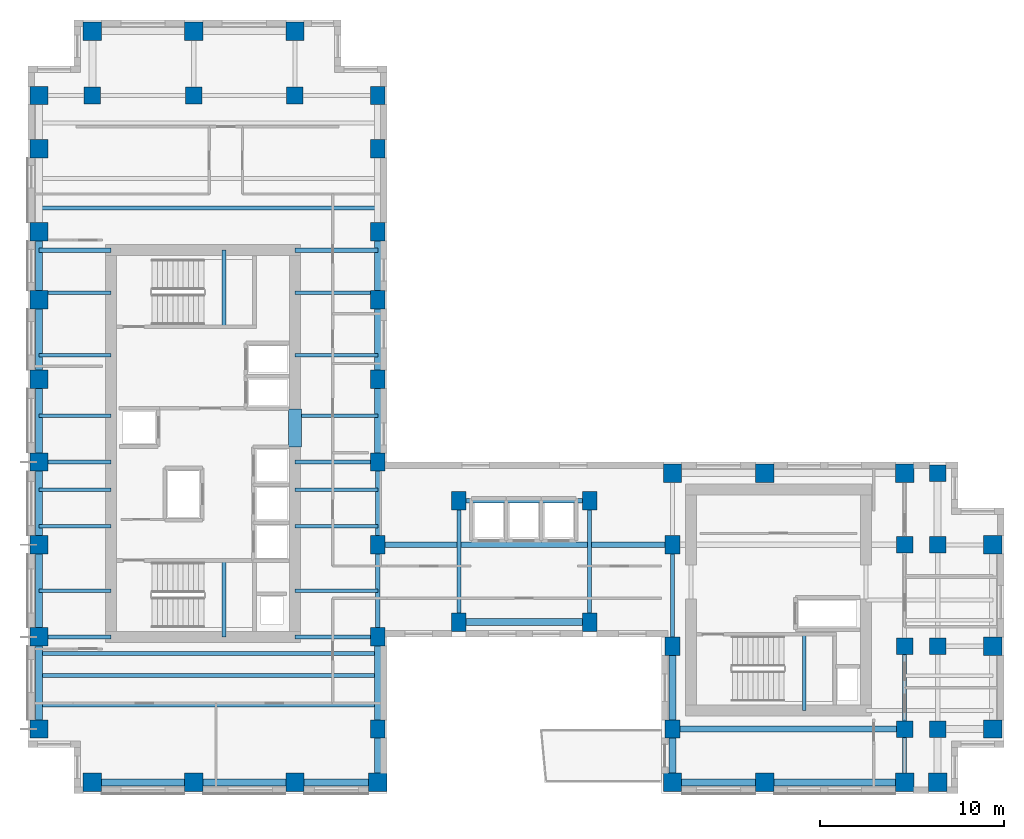
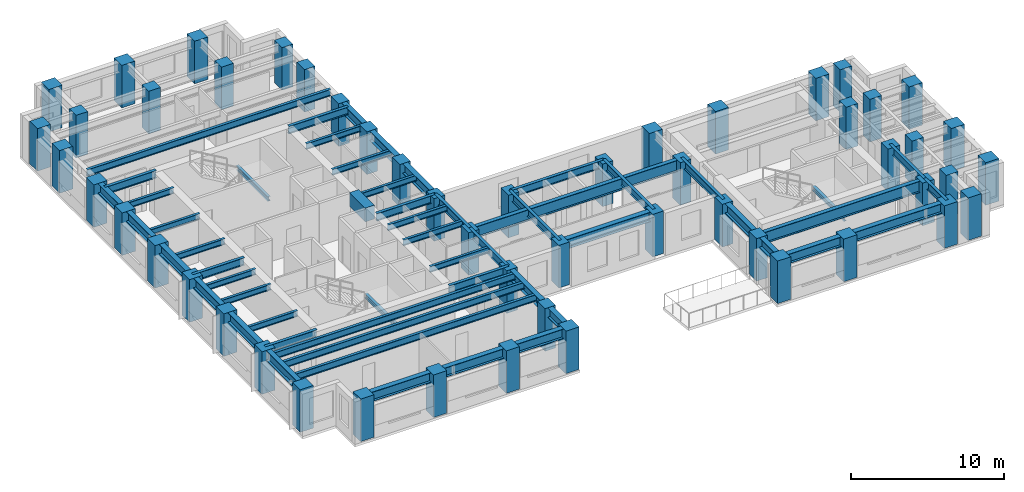
# One storey, part 1 of 12: 55 beams, 52 columns.
"""IFC4 building model written with IfcOpenShell, lengths in metres."""

from ifc_helpers import new_model, si_unit, direction, frame, origin, origin_2d, place, context, subcontext, project, spatial, rectangle, i_section, extrude, source, transform, mapped, material, material_profile, profile_set, type_object, element, save


model = new_model("IFC4")

# Units and contexts
model_context = context("Model", 3, precision=1e-05, world=origin(), true_north=direction((0.0, 1.0)))
body_context = subcontext(model_context, "Body", "Model", "MODEL_VIEW")
ifc_project = project(units=[si_unit("LENGTHUNIT", "METRE"), si_unit("AREAUNIT", "SQUARE_METRE"), si_unit("VOLUMEUNIT", "CUBIC_METRE"), si_unit("PLANEANGLEUNIT", "RADIAN"), si_unit("MASSUNIT", "GRAM", prefix="KILO")], contexts=[model_context])

# Site, building, storey
site_placement = place(None, origin())
site = spatial("IfcSite", under=ifc_project, at=site_placement, CompositionType="ELEMENT")
building_placement = place(site_placement, origin())
building = spatial("IfcBuilding", under=site, at=building_placement, Name="Kharzan Plaza Tower", CompositionType="ELEMENT")
storey_placement = place(building_placement, frame((0.0, 0.0, 179.10009765625)))
storey = spatial("IfcBuildingStorey", under=building, at=storey_placement, Name="L48", CompositionType="ELEMENT", Elevation=179.10009765625)

# Columns
ifc_material_1 = material(Name="Concrete C50/60", Category="concrete")
ifc_material_profile_1 = material_profile(ifc_material_1, rectangle(XDim=0.89990234375, YDim=0.89990234375, at=origin_2d()), Name="RC-IC900x900")
ifc_profile_set_1 = profile_set([ifc_material_profile_1], Name="Concrete C50/60")
column_type_1 = type_object("IfcColumnType", Name="COL-IC900", PredefinedType="COLUMN", material=ifc_profile_set_1)
shared_shape_1 = source(origin(), body_context, "Body", "SweptSolid", [
    extrude(rectangle(XDim=0.89990234375, YDim=0.89990234375, at=origin_2d()), origin(), (0.0, 0.0, 1.0), 3.39990234375),
])
for number, where, z_axis, x_axis, name in (
    (1, (47.60009765625, 13.5, 0.0), (0.0, 0.0, 1.0), (1.0, 0.0, 0.0), "L48 Structural Column TCBI-135"),
    (2, (47.60009765625, 3.5, 0.0), (0.0, 0.0, 1.0), (1.0, 0.0, 0.0), "L48 Structural Column TCBI-35"),
    (3, (47.60009765625, 8.0, 0.0), (0.0, 0.0, 1.0), (1.0, 0.0, 0.0), "L48 Structural Column TCBI-80"),
    (4, (49.39990234375, 13.5, 0.0), (0.0, 0.0, 1.0), (1.0, 0.0, 0.0), "L48 Structural Column TCE-494-135"),
    (5, (49.39990234375, 17.39990234375, 0.0), (0.0, 0.0, 1.0), (1.0, 0.0, 0.0), "L48 Structural Column TCE-494-174"),
    (6, (49.39990234375, 3.5, 0.0), (0.0, 0.0, 1.0), (1.0, 0.0, 0.0), "L48 Structural Column TCE-494-35"),
    (7, (49.39990234375, 8.0, 0.0), (0.0, 0.0, 1.0), (1.0, 0.0, 0.0), "L48 Structural Column TCE-494-80"),
    (8, (14.5, 37.89990234375, 0.0), (0.0, 0.0, 1.0), (1.0, 0.0, 0.0), "L48 Structural Column TCN-145-379"),
    (9, (3.5, 37.89990234375, 0.0), (0.0, 0.0, 1.0), (1.0, 0.0, 0.0), "L48 Structural Column TCN-35-379"),
    (10, (9.0, 37.89990234375, 0.0), (0.0, 0.0, 1.0), (1.0, 0.0, 0.0), "L48 Structural Column TCN-90-379"),
):
    element("IfcColumn", number, at=place(storey_placement, frame(where, z_axis=z_axis, x_axis=x_axis)), inside=storey, type_object=column_type_1, Name=name, PredefinedType="COLUMN", context=body_context, shape_type="MappedRepresentation", body=[
        mapped(shared_shape_1, transform((0.0, 0.0, 0.0), x_axis=(1.0, 0.0, 0.0), y_axis=(0.0, 1.0, 0.0), z_axis=(0.0, 0.0, 1.0))),
    ])
ifc_material_profile_2 = material_profile(ifc_material_1, rectangle(XDim=0.800048828125, YDim=1.0, at=origin_2d()), Name="RC-SC1000x800")
ifc_profile_set_2 = profile_set([ifc_material_profile_2], Name="Concrete C50/60")
column_type_2 = type_object("IfcColumnType", Name="COL-SC1000", PredefinedType="COLUMN", material=ifc_profile_set_2)
shared_shape_2 = source(origin(), body_context, "Body", "SweptSolid", [
    extrude(rectangle(XDim=0.800048828125, YDim=1.0, at=origin_2d()), origin(), (0.0, 0.0, 1.0), 3.39990234375),
])
for number, where, z_axis, x_axis, name in (
    (11, (19.0, 13.5, 0.0), (0.0, 0.0, 1.0), (1.0, 0.0, 0.0), "L48 Structural Column TCA-135"),
    (12, (19.0, 18.0, 0.0), (0.0, 0.0, 1.0), (1.0, 0.0, 0.0), "L48 Structural Column TCA-180"),
    (13, (19.0, 22.5, 0.0), (0.0, 0.0, 1.0), (1.0, 0.0, 0.0), "L48 Structural Column TCA-225"),
    (14, (19.0, 26.800048828125, 0.0), (0.0, 0.0, 1.0), (1.0, 0.0, 0.0), "L48 Structural Column TCA-268"),
    (15, (19.0, 30.5, 0.0), (0.0, 0.0, 1.0), (1.0, 0.0, 0.0), "L48 Structural Column TCA-305"),
    (16, (19.0, 3.5, 0.0), (0.0, 0.0, 1.0), (1.0, 0.0, 0.0), "L48 Structural Column TCA-35"),
    (17, (19.0, 35.0, 0.0), (0.0, 0.0, 1.0), (1.0, 0.0, 0.0), "L48 Structural Column TCA-350"),
    (18, (19.0, 37.89990234375, 0.0), (0.0, 0.0, 1.0), (1.0, 0.0, 0.0), "L48 Structural Column TCA-379"),
    (19, (19.0, 8.5, 0.0), (0.0, 0.0, 1.0), (1.0, 0.0, 0.0), "L48 Structural Column TCA-85"),
    (20, (35.0, 13.5, 0.0), (0.0, 0.0, 1.0), (1.0, 0.0, 0.0), "L48 Structural Column TCBS-135"),
    (21, (35.0, 3.5, 0.0), (0.0, 0.0, 1.0), (1.0, 0.0, 0.0), "L48 Structural Column TCBS-35"),
    (22, (35.0, 8.0, 0.0), (0.0, 0.0, 1.0), (1.0, 0.0, 0.0), "L48 Structural Column TCBS-80"),
    (23, (23.39990234375, 15.89990234375, 0.0), (0.0, 0.0, 1.0), (1.0, 0.0, 0.0), "L48 Structural Column TCSP-234-159"),
    (24, (23.39990234375, 9.300048828125, 0.0), (0.0, 0.0, 1.0), (1.0, 0.0, 0.0), "L48 Structural Column TCSP-234-93"),
    (25, (30.5, 15.89990234375, 0.0), (0.0, 0.0, 1.0), (1.0, 0.0, 0.0), "L48 Structural Column TCSP-305-159"),
    (26, (30.5, 9.300048828125, 0.0), (0.0, 0.0, 1.0), (1.0, 0.0, 0.0), "L48 Structural Column TCSP-305-93"),
):
    element("IfcColumn", number, at=place(storey_placement, frame(where, z_axis=z_axis, x_axis=x_axis)), inside=storey, type_object=column_type_2, Name=name, PredefinedType="COLUMN", context=body_context, shape_type="MappedRepresentation", body=[
        mapped(shared_shape_2, transform((0.0, 0.0, 0.0), x_axis=(1.0, 0.0, 0.0), y_axis=(0.0, 1.0, 0.0), z_axis=(0.0, 0.0, 1.0))),
    ])
ifc_material_profile_3 = material_profile(ifc_material_1, rectangle(XDim=1.0, YDim=1.0, at=origin_2d()), Name="RC-TC1000x1000")
ifc_profile_set_3 = profile_set([ifc_material_profile_3], Name="Concrete C50/60")
column_type_3 = type_object("IfcColumnType", Name="COL-TC1000", PredefinedType="COLUMN", material=ifc_profile_set_3)
shared_shape_3 = source(origin(), body_context, "Body", "SweptSolid", [
    extrude(rectangle(XDim=1.0, YDim=1.0, at=origin_2d()), origin(), (0.0, 0.0, 1.0), 3.39990234375),
])
for number, where, z_axis, x_axis, name in (
    (27, (35.0, 17.39990234375, 0.0), (0.0, 0.0, 1.0), (1.0, 0.0, 0.0), "L48 Structural Column TCBN-350-174"),
    (28, (40.0, 17.39990234375, 0.0), (0.0, 0.0, 1.0), (1.0, 0.0, 0.0), "L48 Structural Column TCBN-400-174"),
    (29, (47.60009765625, 17.39990234375, 0.0), (0.0, 0.0, 1.0), (1.0, 0.0, 0.0), "L48 Structural Column TCBN-476-174"),
    (30, (52.39990234375, 13.5, 0.0), (0.0, 0.0, 1.0), (1.0, 0.0, 0.0), "L48 Structural Column TCE-524-135"),
    (31, (52.39990234375, 3.5, 0.0), (0.0, 0.0, 1.0), (1.0, 0.0, 0.0), "L48 Structural Column TCE-524-35"),
    (32, (52.39990234375, 8.0, 0.0), (0.0, 0.0, 1.0), (1.0, 0.0, 0.0), "L48 Structural Column TCE-524-80"),
    (33, (14.5, 41.39990234375, 0.0), (0.0, 0.0, 1.0), (1.0, 0.0, 0.0), "L48 Structural Column TCN-145-414"),
    (34, (3.5, 41.39990234375, 0.0), (0.0, 0.0, 1.0), (1.0, 0.0, 0.0), "L48 Structural Column TCN-35-414"),
    (35, (9.0, 41.39990234375, 0.0), (0.0, 0.0, 1.0), (1.0, 0.0, 0.0), "L48 Structural Column TCN-90-414"),
    (36, (14.5, 0.60009765625, 0.0), (0.0, 0.0, 1.0), (1.0, 0.0, 0.0), "L48 Structural Column TCS-145"),
    (37, (19.0, 0.60009765625, 0.0), (0.0, 0.0, 1.0), (1.0, 0.0, 0.0), "L48 Structural Column TCS-190"),
    (38, (3.5, 0.60009765625, 0.0), (0.0, 0.0, 1.0), (1.0, 0.0, 0.0), "L48 Structural Column TCS-35"),
    (39, (35.0, 0.60009765625, 0.0), (0.0, 0.0, 1.0), (1.0, 0.0, 0.0), "L48 Structural Column TCS-350"),
    (40, (40.0, 0.60009765625, 0.0), (0.0, 0.0, 1.0), (1.0, 0.0, 0.0), "L48 Structural Column TCS-400"),
    (41, (47.60009765625, 0.60009765625, 0.0), (0.0, 0.0, 1.0), (1.0, 0.0, 0.0), "L48 Structural Column TCS-476"),
    (42, (49.39990234375, 0.60009765625, 0.0), (0.0, 0.0, 1.0), (1.0, 0.0, 0.0), "L48 Structural Column TCS-494"),
    (43, (9.0, 0.60009765625, 0.0), (0.0, 0.0, 1.0), (1.0, 0.0, 0.0), "L48 Structural Column TCS-90"),
    (44, (0.60009765625, 13.5, 0.0), (0.0, 0.0, 1.0), (1.0, 0.0, 0.0), "L48 Structural Column TCW-135"),
    (45, (0.60009765625, 18.0, 0.0), (0.0, 0.0, 1.0), (1.0, 0.0, 0.0), "L48 Structural Column TCW-180"),
    (46, (0.60009765625, 22.5, 0.0), (0.0, 0.0, 1.0), (1.0, 0.0, 0.0), "L48 Structural Column TCW-225"),
    (47, (0.60009765625, 26.800048828125, 0.0), (0.0, 0.0, 1.0), (1.0, 0.0, 0.0), "L48 Structural Column TCW-268"),
    (48, (0.60009765625, 30.5, 0.0), (0.0, 0.0, 1.0), (1.0, 0.0, 0.0), "L48 Structural Column TCW-305"),
    (49, (0.60009765625, 3.5, 0.0), (0.0, 0.0, 1.0), (1.0, 0.0, 0.0), "L48 Structural Column TCW-35"),
    (50, (0.60009765625, 35.0, 0.0), (0.0, 0.0, 1.0), (1.0, 0.0, 0.0), "L48 Structural Column TCW-350"),
    (51, (0.60009765625, 37.89990234375, 0.0), (0.0, 0.0, 1.0), (1.0, 0.0, 0.0), "L48 Structural Column TCW-379"),
    (52, (0.60009765625, 8.5, 0.0), (0.0, 0.0, 1.0), (1.0, 0.0, 0.0), "L48 Structural Column TCW-85"),
):
    element("IfcColumn", number, at=place(storey_placement, frame(where, z_axis=z_axis, x_axis=x_axis)), inside=storey, type_object=column_type_3, Name=name, PredefinedType="COLUMN", context=body_context, shape_type="MappedRepresentation", body=[
        mapped(shared_shape_3, transform((0.0, 0.0, 0.0), x_axis=(1.0, 0.0, 0.0), y_axis=(0.0, 1.0, 0.0), z_axis=(0.0, 0.0, 1.0))),
    ])

# Beams
ifc_material_2 = material(Name="Concrete C60/75", Category="concrete")
ifc_material_profile_4 = material_profile(ifc_material_2, rectangle(XDim=0.699951171875, YDim=1.10009765625, at=origin_2d()), Name="RC-CB1100x700")
ifc_profile_set_4 = profile_set([ifc_material_profile_4], Name="Concrete C60/75")
beam_type_1 = type_object("IfcBeamType", Name="BM-RCCB1100", PredefinedType="LINTEL", material=ifc_profile_set_4)
shared_shape_4 = source(origin(), body_context, "Body", "SweptSolid", [
    extrude(rectangle(XDim=0.699951171875, YDim=1.10009765625, at=origin_2d()), origin(), (0.0, 0.0, 1.0), 2.059814453125),
])
beam_1_placement = place(storey_placement, frame((14.5, 18.820068359375, 2.849853515625), z_axis=(0.0, 1.0, 0.0), x_axis=(-1.0, 0.0, 0.0)))
element("IfcBeam", 53, at=beam_1_placement, inside=storey, type_object=beam_type_1, Name="L48 CORE-A RC coupling beam CB1", PredefinedType="LINTEL", context=body_context, shape_type="MappedRepresentation", body=[
    mapped(shared_shape_4, transform((0.0, 0.0, 0.0), x_axis=(1.0, 0.0, 0.0), y_axis=(0.0, 1.0, 0.0), z_axis=(0.0, 0.0, 1.0))),
])
ifc_material_3 = material(Name="Steel S355", Category="steel")
ifc_material_profile_5 = material_profile(ifc_material_3, i_section(OverallWidth=0.205078125, OverallDepth=0.35400390625, WebThickness=0.009521484375, FlangeThickness=0.016845703125, at=origin_2d()), Name="W360x79")
ifc_profile_set_5 = profile_set([ifc_material_profile_5], Name="Steel S355")
beam_type_2 = type_object("IfcBeamType", Name="BM-LNT360", PredefinedType="LINTEL", material=ifc_profile_set_5)
shared_shape_5 = source(origin(), body_context, "Body", "SweptSolid", [
    extrude(i_section(OverallWidth=0.205078125, OverallDepth=0.35400390625, WebThickness=0.009521484375, FlangeThickness=0.016845703125, at=origin_2d()), origin(), (0.0, 0.0, 1.0), 4.155029296875),
])
for number, where, z_axis, x_axis, name in (
    (54, (10.64990234375, 8.5, 1.4228515625), (0.0, 1.0, 0.0), (-1.0, 0.0, 0.0), "L48 Stair ST-1 Half-Landing Beam"),
    (55, (10.64990234375, 25.344970703125, 1.4228515625), (0.0, 1.0, 0.0), (-1.0, 0.0, 0.0), "L48 Stair ST-2 Half-Landing Beam"),
    (56, (42.14990234375, 4.5, 1.4228515625), (0.0, 1.0, 0.0), (-1.0, 0.0, 0.0), "L48 Stair ST-3 Half-Landing Beam"),
):
    element("IfcBeam", number, at=place(storey_placement, frame(where, z_axis=z_axis, x_axis=x_axis)), inside=storey, type_object=beam_type_2, Name=name, PredefinedType="LINTEL", context=body_context, shape_type="MappedRepresentation", body=[
        mapped(shared_shape_5, transform((0.0, 0.0, 0.0), x_axis=(1.0, 0.0, 0.0), y_axis=(0.0, 1.0, 0.0), z_axis=(0.0, 0.0, 1.0))),
    ])
ifc_material_profile_6 = material_profile(ifc_material_3, i_section(OverallWidth=0.304931640625, OverallDepth=0.9189453125, WebThickness=0.017333984375, FlangeThickness=0.02783203125, at=origin_2d()), Name="W920x253")
ifc_profile_set_6 = profile_set([ifc_material_profile_6], Name="Steel S355")
beam_type_3 = type_object("IfcBeamType", Name="BM-FG920B", PredefinedType="BEAM", material=ifc_profile_set_6)
shared_shape_6 = source(origin(), body_context, "Body", "SweptSolid", [
    extrude(i_section(OverallWidth=0.304931640625, OverallDepth=0.9189453125, WebThickness=0.017333984375, FlangeThickness=0.02783203125, at=origin_2d()), origin(), (0.0, 0.0, 1.0), 12.60009765625),
])
beam_2_placement = place(storey_placement, frame((35.0, 3.5, 2.9404296875), z_axis=(1.0, 0.0, 0.0), x_axis=(0.0, 1.0, 0.0)))
element("IfcBeam", 57, at=beam_2_placement, inside=storey, type_object=beam_type_3, Name="L48 Primary Floor Girder", PredefinedType="BEAM", context=body_context, shape_type="MappedRepresentation", body=[
    mapped(shared_shape_6, transform((0.0, 0.0, 0.0), x_axis=(1.0, 0.0, 0.0), y_axis=(0.0, 1.0, 0.0), z_axis=(0.0, 0.0, 1.0))),
])
shared_shape_7 = source(origin(), body_context, "Body", "SweptSolid", [
    extrude(i_section(OverallWidth=0.304931640625, OverallDepth=0.9189453125, WebThickness=0.017333984375, FlangeThickness=0.02783203125, at=origin_2d()), origin(), (0.0, 0.0, 1.0), 16.0),
])
beam_3_placement = place(storey_placement, frame((19.0, 13.5, 2.9404296875), z_axis=(1.0, 0.0, 0.0), x_axis=(0.0, 1.0, 0.0)))
element("IfcBeam", 58, at=beam_3_placement, inside=storey, type_object=beam_type_3, Name="L48 Primary Floor Girder", PredefinedType="BEAM", context=body_context, shape_type="MappedRepresentation", body=[
    mapped(shared_shape_7, transform((0.0, 0.0, 0.0), x_axis=(1.0, 0.0, 0.0), y_axis=(0.0, 1.0, 0.0), z_axis=(0.0, 0.0, 1.0))),
])
ifc_material_profile_7 = material_profile(ifc_material_3, i_section(OverallWidth=0.2099609375, OverallDepth=0.537109375, WebThickness=0.010986328125, FlangeThickness=0.017333984375, at=origin_2d()), Name="W530x101")
ifc_profile_set_7 = profile_set([ifc_material_profile_7], Name="Steel S355")
beam_type_4 = type_object("IfcBeamType", Name="BM-JST530B", PredefinedType="JOIST", material=ifc_profile_set_7)
shared_shape_8 = source(origin(), body_context, "Body", "SweptSolid", [
    extrude(i_section(OverallWidth=0.2099609375, OverallDepth=0.537109375, WebThickness=0.010986328125, FlangeThickness=0.017333984375, at=origin_2d()), origin(), (0.0, 0.0, 1.0), 18.39990234375),
])
for number, where, z_axis, x_axis, name in (
    (59, (0.60009765625, 4.800048828125, 3.13134765625), (1.0, 0.0, 0.0), (0.0, 1.0, 0.0), "L48 Wing A Composite Joist 01"),
    (60, (0.60009765625, 6.39990234375, 3.13134765625), (1.0, 0.0, 0.0), (0.0, 1.0, 0.0), "L48 Wing A Composite Joist 02"),
    (61, (0.60009765625, 7.60009765625, 3.13134765625), (1.0, 0.0, 0.0), (0.0, 1.0, 0.0), "L48 Wing A Composite Joist 03"),
    (62, (0.60009765625, 31.800048828125, 3.13134765625), (1.0, 0.0, 0.0), (0.0, 1.0, 0.0), "L48 Wing A Composite Joist 04"),
):
    element("IfcBeam", number, at=place(storey_placement, frame(where, z_axis=z_axis, x_axis=x_axis)), inside=storey, type_object=beam_type_4, Name=name, PredefinedType="JOIST", context=body_context, shape_type="MappedRepresentation", body=[
        mapped(shared_shape_8, transform((0.0, 0.0, 0.0), x_axis=(1.0, 0.0, 0.0), y_axis=(0.0, 1.0, 0.0), z_axis=(0.0, 0.0, 1.0))),
    ])
ifc_material_profile_8 = material_profile(ifc_material_3, i_section(OverallWidth=0.194091796875, OverallDepth=0.468994140625, WebThickness=0.011474609375, FlangeThickness=0.0205078125, at=origin_2d()), Name="W460x106")
ifc_profile_set_8 = profile_set([ifc_material_profile_8], Name="Steel S355")
beam_type_5 = type_object("IfcBeamType", Name="BM-JST460", PredefinedType="JOIST", material=ifc_profile_set_8)
shared_shape_9 = source(origin(), body_context, "Body", "SweptSolid", [
    extrude(i_section(OverallWidth=0.194091796875, OverallDepth=0.468994140625, WebThickness=0.011474609375, FlangeThickness=0.0205078125, at=origin_2d()), origin(), (0.0, 0.0, 1.0), 4.5),
])
for number, where, z_axis, x_axis, name in (
    (63, (14.5, 11.0, 3.165283203125), (1.0, 0.0, 0.0), (0.0, 1.0, 0.0), "L48 Wing A East Infill Joist 1"),
    (64, (14.5, 14.5, 3.165283203125), (1.0, 0.0, 0.0), (0.0, 1.0, 0.0), "L48 Wing A East Infill Joist 2"),
    (65, (14.5, 16.5, 3.165283203125), (1.0, 0.0, 0.0), (0.0, 1.0, 0.0), "L48 Wing A East Infill Joist 3"),
    (66, (14.5, 20.5, 3.165283203125), (1.0, 0.0, 0.0), (0.0, 1.0, 0.0), "L48 Wing A East Infill Joist 4"),
    (67, (14.5, 23.800048828125, 3.165283203125), (1.0, 0.0, 0.0), (0.0, 1.0, 0.0), "L48 Wing A East Infill Joist 5"),
    (68, (14.5, 27.199951171875, 3.165283203125), (1.0, 0.0, 0.0), (0.0, 1.0, 0.0), "L48 Wing A East Infill Joist 6"),
):
    element("IfcBeam", number, at=place(storey_placement, frame(where, z_axis=z_axis, x_axis=x_axis)), inside=storey, type_object=beam_type_5, Name=name, PredefinedType="JOIST", context=body_context, shape_type="MappedRepresentation", body=[
        mapped(shared_shape_9, transform((0.0, 0.0, 0.0), x_axis=(1.0, 0.0, 0.0), y_axis=(0.0, 1.0, 0.0), z_axis=(0.0, 0.0, 1.0))),
    ])
shared_shape_10 = source(origin(), body_context, "Body", "SweptSolid", [
    extrude(i_section(OverallWidth=0.194091796875, OverallDepth=0.468994140625, WebThickness=0.011474609375, FlangeThickness=0.0205078125, at=origin_2d()), origin(), (0.0, 0.0, 1.0), 3.89990234375),
])
for number, where, z_axis, x_axis, name in (
    (69, (0.60009765625, 11.0, 3.165283203125), (1.0, 0.0, 0.0), (0.0, 1.0, 0.0), "L48 Wing A West Infill Joist 1"),
    (70, (0.60009765625, 14.5, 3.165283203125), (1.0, 0.0, 0.0), (0.0, 1.0, 0.0), "L48 Wing A West Infill Joist 2"),
    (71, (0.60009765625, 16.5, 3.165283203125), (1.0, 0.0, 0.0), (0.0, 1.0, 0.0), "L48 Wing A West Infill Joist 3"),
    (72, (0.60009765625, 20.5, 3.165283203125), (1.0, 0.0, 0.0), (0.0, 1.0, 0.0), "L48 Wing A West Infill Joist 4"),
    (73, (0.60009765625, 23.800048828125, 3.165283203125), (1.0, 0.0, 0.0), (0.0, 1.0, 0.0), "L48 Wing A West Infill Joist 5"),
    (74, (0.60009765625, 27.199951171875, 3.165283203125), (1.0, 0.0, 0.0), (0.0, 1.0, 0.0), "L48 Wing A West Infill Joist 6"),
):
    element("IfcBeam", number, at=place(storey_placement, frame(where, z_axis=z_axis, x_axis=x_axis)), inside=storey, type_object=beam_type_5, Name=name, PredefinedType="JOIST", context=body_context, shape_type="MappedRepresentation", body=[
        mapped(shared_shape_10, transform((0.0, 0.0, 0.0), x_axis=(1.0, 0.0, 0.0), y_axis=(0.0, 1.0, 0.0), z_axis=(0.0, 0.0, 1.0))),
    ])
ifc_material_profile_9 = material_profile(ifc_material_3, i_section(OverallWidth=0.22900390625, OverallDepth=0.612060546875, WebThickness=0.011962890625, FlangeThickness=0.01953125, at=origin_2d()), Name="W610x125")
ifc_profile_set_9 = profile_set([ifc_material_profile_9], Name="Steel S355")
beam_type_6 = type_object("IfcBeamType", Name="BM-FG610B", PredefinedType="BEAM", material=ifc_profile_set_9)
shared_shape_11 = source(origin(), body_context, "Body", "SweptSolid", [
    extrude(i_section(OverallWidth=0.22900390625, OverallDepth=0.612060546875, WebThickness=0.011962890625, FlangeThickness=0.01953125, at=origin_2d()), origin(), (0.0, 0.0, 1.0), 4.5),
])
for number, where, z_axis, x_axis, name in (
    (75, (14.5, 8.5, 3.093994140625), (1.0, 0.0, 0.0), (0.0, 1.0, 0.0), "L48 Core-A East Floor Girder 1"),
    (76, (14.5, 18.0, 3.093994140625), (1.0, 0.0, 0.0), (0.0, 1.0, 0.0), "L48 Core-A East Floor Girder 2"),
    (77, (14.5, 29.5, 3.093994140625), (1.0, 0.0, 0.0), (0.0, 1.0, 0.0), "L48 Core-A East Floor Girder 3"),
    (78, (19.0, 13.5, 3.093994140625), (0.0, 1.0, 0.0), (-1.0, 0.0, 0.0), "L48 Interior Frame Girder"),
    (79, (47.60009765625, 3.5, 3.093994140625), (0.0, 1.0, 0.0), (-1.0, 0.0, 0.0), "L48 Interior Frame Girder"),
):
    element("IfcBeam", number, at=place(storey_placement, frame(where, z_axis=z_axis, x_axis=x_axis)), inside=storey, type_object=beam_type_6, Name=name, PredefinedType="BEAM", context=body_context, shape_type="MappedRepresentation", body=[
        mapped(shared_shape_11, transform((0.0, 0.0, 0.0), x_axis=(1.0, 0.0, 0.0), y_axis=(0.0, 1.0, 0.0), z_axis=(0.0, 0.0, 1.0))),
    ])
shared_shape_12 = source(origin(), body_context, "Body", "SweptSolid", [
    extrude(i_section(OverallWidth=0.22900390625, OverallDepth=0.612060546875, WebThickness=0.011962890625, FlangeThickness=0.01953125, at=origin_2d()), origin(), (0.0, 0.0, 1.0), 3.89990234375),
])
for number, where, z_axis, x_axis, name in (
    (80, (0.60009765625, 8.5, 3.093994140625), (1.0, 0.0, 0.0), (0.0, 1.0, 0.0), "L48 Core-A West Floor Girder 1"),
    (81, (0.60009765625, 18.0, 3.093994140625), (1.0, 0.0, 0.0), (0.0, 1.0, 0.0), "L48 Core-A West Floor Girder 2"),
    (82, (0.60009765625, 29.5, 3.093994140625), (1.0, 0.0, 0.0), (0.0, 1.0, 0.0), "L48 Core-A West Floor Girder 3"),
):
    element("IfcBeam", number, at=place(storey_placement, frame(where, z_axis=z_axis, x_axis=x_axis)), inside=storey, type_object=beam_type_6, Name=name, PredefinedType="BEAM", context=body_context, shape_type="MappedRepresentation", body=[
        mapped(shared_shape_12, transform((0.0, 0.0, 0.0), x_axis=(1.0, 0.0, 0.0), y_axis=(0.0, 1.0, 0.0), z_axis=(0.0, 0.0, 1.0))),
    ])
shared_shape_13 = source(origin(), body_context, "Body", "SweptSolid", [
    extrude(i_section(OverallWidth=0.22900390625, OverallDepth=0.612060546875, WebThickness=0.011962890625, FlangeThickness=0.01953125, at=origin_2d()), origin(), (0.0, 0.0, 1.0), 5.0),
])
beam_4_placement = place(storey_placement, frame((19.0, 8.5, 3.093994140625), z_axis=(0.0, 1.0, 0.0), x_axis=(-1.0, 0.0, 0.0)))
element("IfcBeam", 83, at=beam_4_placement, inside=storey, type_object=beam_type_6, Name="L48 Interior Frame Girder", PredefinedType="BEAM", context=body_context, shape_type="MappedRepresentation", body=[
    mapped(shared_shape_13, transform((0.0, 0.0, 0.0), x_axis=(1.0, 0.0, 0.0), y_axis=(0.0, 1.0, 0.0), z_axis=(0.0, 0.0, 1.0))),
])
shared_shape_14 = source(origin(), body_context, "Body", "SweptSolid", [
    extrude(i_section(OverallWidth=0.22900390625, OverallDepth=0.612060546875, WebThickness=0.011962890625, FlangeThickness=0.01953125, at=origin_2d()), origin(), (0.0, 0.0, 1.0), 6.599853515625),
])
for number, where, z_axis, x_axis, name in (
    (84, (23.39990234375, 9.300048828125, 3.093994140625), (0.0, 1.0, 0.0), (-1.0, 0.0, 0.0), "L48 Interior Frame Girder"),
    (85, (30.5, 9.300048828125, 3.093994140625), (0.0, 1.0, 0.0), (-1.0, 0.0, 0.0), "L48 Interior Frame Girder"),
):
    element("IfcBeam", number, at=place(storey_placement, frame(where, z_axis=z_axis, x_axis=x_axis)), inside=storey, type_object=beam_type_6, Name=name, PredefinedType="BEAM", context=body_context, shape_type="MappedRepresentation", body=[
        mapped(shared_shape_14, transform((0.0, 0.0, 0.0), x_axis=(1.0, 0.0, 0.0), y_axis=(0.0, 1.0, 0.0), z_axis=(0.0, 0.0, 1.0))),
    ])
shared_shape_15 = source(origin(), body_context, "Body", "SweptSolid", [
    extrude(i_section(OverallWidth=0.22900390625, OverallDepth=0.612060546875, WebThickness=0.011962890625, FlangeThickness=0.01953125, at=origin_2d()), origin(), (0.0, 0.0, 1.0), 5.5),
])
beam_5_placement = place(storey_placement, frame((35.0, 8.0, 3.093994140625), z_axis=(0.0, 1.0, 0.0), x_axis=(-1.0, 0.0, 0.0)))
element("IfcBeam", 86, at=beam_5_placement, inside=storey, type_object=beam_type_6, Name="L48 Interior Frame Girder", PredefinedType="BEAM", context=body_context, shape_type="MappedRepresentation", body=[
    mapped(shared_shape_15, transform((0.0, 0.0, 0.0), x_axis=(1.0, 0.0, 0.0), y_axis=(0.0, 1.0, 0.0), z_axis=(0.0, 0.0, 1.0))),
])
shared_shape_16 = source(origin(), body_context, "Body", "SweptSolid", [
    extrude(i_section(OverallWidth=0.22900390625, OverallDepth=0.612060546875, WebThickness=0.011962890625, FlangeThickness=0.01953125, at=origin_2d()), origin(), (0.0, 0.0, 1.0), 2.89990234375),
])
beam_6_placement = place(storey_placement, frame((47.60009765625, 0.60009765625, 3.093994140625), z_axis=(0.0, 1.0, 0.0), x_axis=(-1.0, 0.0, 0.0)))
element("IfcBeam", 87, at=beam_6_placement, inside=storey, type_object=beam_type_6, Name="L48 Interior Frame Girder", PredefinedType="BEAM", context=body_context, shape_type="MappedRepresentation", body=[
    mapped(shared_shape_16, transform((0.0, 0.0, 0.0), x_axis=(1.0, 0.0, 0.0), y_axis=(0.0, 1.0, 0.0), z_axis=(0.0, 0.0, 1.0))),
])
shared_shape_17 = source(origin(), body_context, "Body", "SweptSolid", [
    extrude(i_section(OverallWidth=0.22900390625, OverallDepth=0.612060546875, WebThickness=0.011962890625, FlangeThickness=0.01953125, at=origin_2d()), origin(), (0.0, 0.0, 1.0), 7.10009765625),
])
beam_7_placement = place(storey_placement, frame((23.39990234375, 15.89990234375, 3.093994140625), z_axis=(1.0, 0.0, 0.0), x_axis=(0.0, 1.0, 0.0)))
element("IfcBeam", 88, at=beam_7_placement, inside=storey, type_object=beam_type_6, Name="L48 Primary Floor Girder", PredefinedType="BEAM", context=body_context, shape_type="MappedRepresentation", body=[
    mapped(shared_shape_17, transform((0.0, 0.0, 0.0), x_axis=(1.0, 0.0, 0.0), y_axis=(0.0, 1.0, 0.0), z_axis=(0.0, 0.0, 1.0))),
])
ifc_material_profile_10 = material_profile(ifc_material_3, i_section(OverallWidth=0.381103515625, OverallDepth=0.77294921875, WebThickness=0.0166015625, FlangeThickness=0.027587890625, at=origin_2d()), Name="W760x257")
ifc_profile_set_10 = profile_set([ifc_material_profile_10], Name="Steel S355")
beam_type_7 = type_object("IfcBeamType", Name="BM-SP760A", PredefinedType="SPANDREL", material=ifc_profile_set_10)
shared_shape_18 = source(origin(), body_context, "Body", "SweptSolid", [
    extrude(i_section(OverallWidth=0.381103515625, OverallDepth=0.77294921875, WebThickness=0.0166015625, FlangeThickness=0.027587890625, at=origin_2d()), origin(), (0.0, 0.0, 1.0), 5.0),
])
for number, where, z_axis, x_axis, name in (
    (89, (0.60009765625, 3.5, 3.013427734375), (0.0, 1.0, 0.0), (-1.0, 0.0, 0.0), "L48 Perimeter Tube Spandrel"),
    (90, (0.60009765625, 8.5, 3.013427734375), (0.0, 1.0, 0.0), (-1.0, 0.0, 0.0), "L48 Perimeter Tube Spandrel"),
    (91, (19.0, 3.5, 3.013427734375), (0.0, 1.0, 0.0), (-1.0, 0.0, 0.0), "L48 Perimeter Tube Spandrel"),
    (92, (35.0, 0.60009765625, 3.013427734375), (1.0, 0.0, 0.0), (0.0, 1.0, 0.0), "L48 Perimeter Tube Spandrel"),
):
    element("IfcBeam", number, at=place(storey_placement, frame(where, z_axis=z_axis, x_axis=x_axis)), inside=storey, type_object=beam_type_7, Name=name, PredefinedType="SPANDREL", context=body_context, shape_type="MappedRepresentation", body=[
        mapped(shared_shape_18, transform((0.0, 0.0, 0.0), x_axis=(1.0, 0.0, 0.0), y_axis=(0.0, 1.0, 0.0), z_axis=(0.0, 0.0, 1.0))),
    ])
shared_shape_19 = source(origin(), body_context, "Body", "SweptSolid", [
    extrude(i_section(OverallWidth=0.381103515625, OverallDepth=0.77294921875, WebThickness=0.0166015625, FlangeThickness=0.027587890625, at=origin_2d()), origin(), (0.0, 0.0, 1.0), 4.5),
])
for number, where, z_axis, x_axis, name in (
    (93, (0.60009765625, 13.5, 3.013427734375), (0.0, 1.0, 0.0), (-1.0, 0.0, 0.0), "L48 Perimeter Tube Spandrel"),
    (94, (0.60009765625, 18.0, 3.013427734375), (0.0, 1.0, 0.0), (-1.0, 0.0, 0.0), "L48 Perimeter Tube Spandrel"),
    (95, (19.0, 18.0, 3.013427734375), (0.0, 1.0, 0.0), (-1.0, 0.0, 0.0), "L48 Perimeter Tube Spandrel"),
    (96, (35.0, 3.5, 3.013427734375), (0.0, 1.0, 0.0), (-1.0, 0.0, 0.0), "L48 Perimeter Tube Spandrel"),
    (97, (14.5, 0.60009765625, 3.013427734375), (1.0, 0.0, 0.0), (0.0, 1.0, 0.0), "L48 Perimeter Tube Spandrel"),
):
    element("IfcBeam", number, at=place(storey_placement, frame(where, z_axis=z_axis, x_axis=x_axis)), inside=storey, type_object=beam_type_7, Name=name, PredefinedType="SPANDREL", context=body_context, shape_type="MappedRepresentation", body=[
        mapped(shared_shape_19, transform((0.0, 0.0, 0.0), x_axis=(1.0, 0.0, 0.0), y_axis=(0.0, 1.0, 0.0), z_axis=(0.0, 0.0, 1.0))),
    ])
shared_shape_20 = source(origin(), body_context, "Body", "SweptSolid", [
    extrude(i_section(OverallWidth=0.381103515625, OverallDepth=0.77294921875, WebThickness=0.0166015625, FlangeThickness=0.027587890625, at=origin_2d()), origin(), (0.0, 0.0, 1.0), 4.300048828125),
])
for number, where, z_axis, x_axis, name in (
    (98, (0.60009765625, 22.5, 3.013427734375), (0.0, 1.0, 0.0), (-1.0, 0.0, 0.0), "L48 Perimeter Tube Spandrel"),
    (99, (19.0, 22.5, 3.013427734375), (0.0, 1.0, 0.0), (-1.0, 0.0, 0.0), "L48 Perimeter Tube Spandrel"),
):
    element("IfcBeam", number, at=place(storey_placement, frame(where, z_axis=z_axis, x_axis=x_axis)), inside=storey, type_object=beam_type_7, Name=name, PredefinedType="SPANDREL", context=body_context, shape_type="MappedRepresentation", body=[
        mapped(shared_shape_20, transform((0.0, 0.0, 0.0), x_axis=(1.0, 0.0, 0.0), y_axis=(0.0, 1.0, 0.0), z_axis=(0.0, 0.0, 1.0))),
    ])
shared_shape_21 = source(origin(), body_context, "Body", "SweptSolid", [
    extrude(i_section(OverallWidth=0.381103515625, OverallDepth=0.77294921875, WebThickness=0.0166015625, FlangeThickness=0.027587890625, at=origin_2d()), origin(), (0.0, 0.0, 1.0), 3.699951171875),
])
for number, where, z_axis, x_axis, name in (
    (100, (0.60009765625, 26.800048828125, 3.013427734375), (0.0, 1.0, 0.0), (-1.0, 0.0, 0.0), "L48 Perimeter Tube Spandrel"),
    (101, (19.0, 26.800048828125, 3.013427734375), (0.0, 1.0, 0.0), (-1.0, 0.0, 0.0), "L48 Perimeter Tube Spandrel"),
):
    element("IfcBeam", number, at=place(storey_placement, frame(where, z_axis=z_axis, x_axis=x_axis)), inside=storey, type_object=beam_type_7, Name=name, PredefinedType="SPANDREL", context=body_context, shape_type="MappedRepresentation", body=[
        mapped(shared_shape_21, transform((0.0, 0.0, 0.0), x_axis=(1.0, 0.0, 0.0), y_axis=(0.0, 1.0, 0.0), z_axis=(0.0, 0.0, 1.0))),
    ])
shared_shape_22 = source(origin(), body_context, "Body", "SweptSolid", [
    extrude(i_section(OverallWidth=0.381103515625, OverallDepth=0.77294921875, WebThickness=0.0166015625, FlangeThickness=0.027587890625, at=origin_2d()), origin(), (0.0, 0.0, 1.0), 2.89990234375),
])
for number, where, z_axis, x_axis, name in (
    (102, (19.0, 0.60009765625, 3.013427734375), (0.0, 1.0, 0.0), (-1.0, 0.0, 0.0), "L48 Perimeter Tube Spandrel"),
    (103, (35.0, 0.60009765625, 3.013427734375), (0.0, 1.0, 0.0), (-1.0, 0.0, 0.0), "L48 Perimeter Tube Spandrel"),
):
    element("IfcBeam", number, at=place(storey_placement, frame(where, z_axis=z_axis, x_axis=x_axis)), inside=storey, type_object=beam_type_7, Name=name, PredefinedType="SPANDREL", context=body_context, shape_type="MappedRepresentation", body=[
        mapped(shared_shape_22, transform((0.0, 0.0, 0.0), x_axis=(1.0, 0.0, 0.0), y_axis=(0.0, 1.0, 0.0), z_axis=(0.0, 0.0, 1.0))),
    ])
shared_shape_23 = source(origin(), body_context, "Body", "SweptSolid", [
    extrude(i_section(OverallWidth=0.381103515625, OverallDepth=0.77294921875, WebThickness=0.0166015625, FlangeThickness=0.027587890625, at=origin_2d()), origin(), (0.0, 0.0, 1.0), 5.5),
])
for number, where, z_axis, x_axis, name in (
    (104, (3.5, 0.60009765625, 3.013427734375), (1.0, 0.0, 0.0), (0.0, 1.0, 0.0), "L48 Perimeter Tube Spandrel"),
    (105, (9.0, 0.60009765625, 3.013427734375), (1.0, 0.0, 0.0), (0.0, 1.0, 0.0), "L48 Perimeter Tube Spandrel"),
):
    element("IfcBeam", number, at=place(storey_placement, frame(where, z_axis=z_axis, x_axis=x_axis)), inside=storey, type_object=beam_type_7, Name=name, PredefinedType="SPANDREL", context=body_context, shape_type="MappedRepresentation", body=[
        mapped(shared_shape_23, transform((0.0, 0.0, 0.0), x_axis=(1.0, 0.0, 0.0), y_axis=(0.0, 1.0, 0.0), z_axis=(0.0, 0.0, 1.0))),
    ])
shared_shape_24 = source(origin(), body_context, "Body", "SweptSolid", [
    extrude(i_section(OverallWidth=0.381103515625, OverallDepth=0.77294921875, WebThickness=0.0166015625, FlangeThickness=0.027587890625, at=origin_2d()), origin(), (0.0, 0.0, 1.0), 7.60009765625),
])
beam_8_placement = place(storey_placement, frame((40.0, 0.60009765625, 3.013427734375), z_axis=(1.0, 0.0, 0.0), x_axis=(0.0, 1.0, 0.0)))
element("IfcBeam", 106, at=beam_8_placement, inside=storey, type_object=beam_type_7, Name="L48 Perimeter Tube Spandrel", PredefinedType="SPANDREL", context=body_context, shape_type="MappedRepresentation", body=[
    mapped(shared_shape_24, transform((0.0, 0.0, 0.0), x_axis=(1.0, 0.0, 0.0), y_axis=(0.0, 1.0, 0.0), z_axis=(0.0, 0.0, 1.0))),
])
shared_shape_25 = source(origin(), body_context, "Body", "SweptSolid", [
    extrude(i_section(OverallWidth=0.381103515625, OverallDepth=0.77294921875, WebThickness=0.0166015625, FlangeThickness=0.027587890625, at=origin_2d()), origin(), (0.0, 0.0, 1.0), 7.10009765625),
])
beam_9_placement = place(storey_placement, frame((23.39990234375, 9.300048828125, 3.013427734375), z_axis=(1.0, 0.0, 0.0), x_axis=(0.0, 1.0, 0.0)))
element("IfcBeam", 107, at=beam_9_placement, inside=storey, type_object=beam_type_7, Name="L48 Perimeter Tube Spandrel", PredefinedType="SPANDREL", context=body_context, shape_type="MappedRepresentation", body=[
    mapped(shared_shape_25, transform((0.0, 0.0, 0.0), x_axis=(1.0, 0.0, 0.0), y_axis=(0.0, 1.0, 0.0), z_axis=(0.0, 0.0, 1.0))),
])

save(model, "model.ifc")
